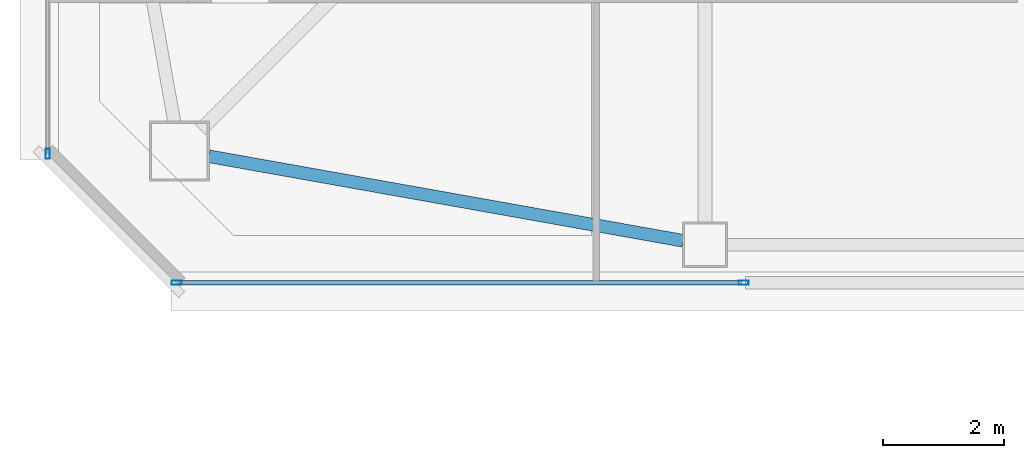
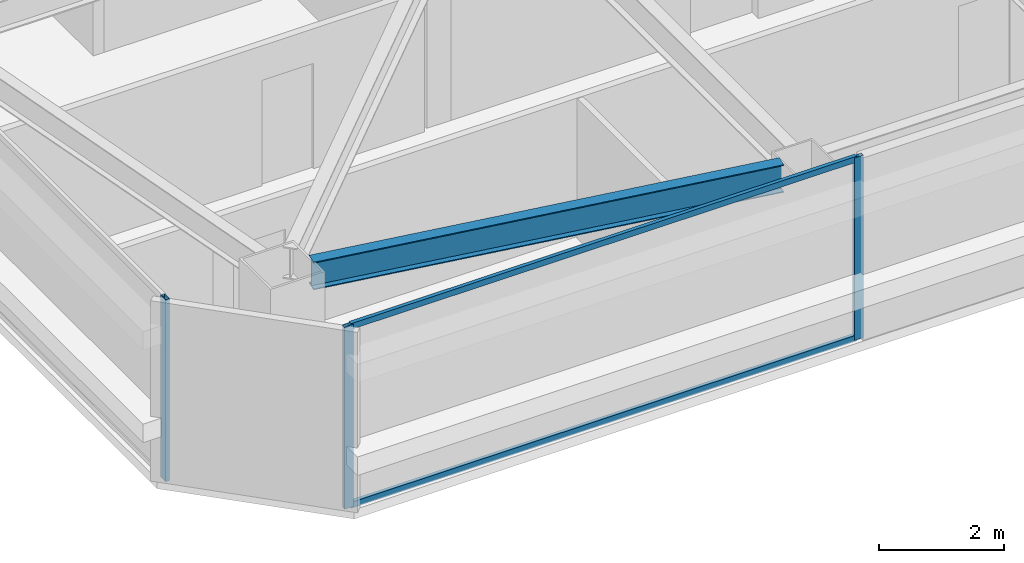
# One storey, part 3 of 39: 5 members, 1 beam, 2 elements without a shape of their own.
"""IFC4 building model written with IfcOpenShell, lengths in metres."""

from ifc_helpers import new_model, si_unit, direction, frame, origin, origin_2d, place, context, subcontext, project, spatial, hollow_rectangle, i_section, extrude, material, material_profile, profile_set, type_object, element, aggregate, save


model = new_model("IFC4")

# Units and contexts
model_context = context("Model", 3, precision=1e-05, world=origin(), true_north=direction((0.0, 1.0)))
body_context = subcontext(model_context, "Body", "Model", "MODEL_VIEW")
ifc_project = project(units=[si_unit("LENGTHUNIT", "METRE"), si_unit("AREAUNIT", "SQUARE_METRE"), si_unit("VOLUMEUNIT", "CUBIC_METRE"), si_unit("PLANEANGLEUNIT", "RADIAN"), si_unit("MASSUNIT", "GRAM", prefix="KILO")], contexts=[model_context])

# Site, building, storey
site_placement = place(None, origin())
site = spatial("IfcSite", under=ifc_project, at=site_placement, CompositionType="ELEMENT")
building_placement = place(site_placement, origin())
building = spatial("IfcBuilding", under=site, at=building_placement, Name="Tashvorn Skyway Center", CompositionType="ELEMENT")
storey_placement = place(building_placement, frame((0.0, 0.0, 207.75)))
storey = spatial("IfcBuildingStorey", under=building, at=storey_placement, Name="L56", CompositionType="ELEMENT", Elevation=207.75)

# Beam
ifc_material_1 = material(Name="Steel ASTM A992 Grade 50", Category="steel")
ifc_material_profile_1 = material_profile(ifc_material_1, i_section(OverallWidth=0.2109375, OverallDepth=0.5390625, WebThickness=0.01171875, FlangeThickness=0.018798828125, at=origin_2d()), Name="W21X73")
ifc_profile_set_1 = profile_set([ifc_material_profile_1], Name="Steel ASTM A992 Grade 50")
beam_type = type_object("IfcBeamType", Name="BM-SPANDREL-W21X73", PredefinedType="SPANDREL", material=ifc_profile_set_1)
beam_placement = place(storey_placement, frame((28.38720703125, 17.813232421875, 3.1005859375), z_axis=(0.984494883191, -0.17541329759, 0.0), x_axis=(0.17541329759, 0.984494883191, 0.0)))
element("IfcBeam", 1, at=beam_placement, inside=storey, type_object=beam_type, Name="Tower 1 L56 Spandrel Beam 01", PredefinedType="SPANDREL", context=body_context, shape_type="SweptSolid", body=[
    extrude(i_section(OverallWidth=0.2109375, OverallDepth=0.5390625, WebThickness=0.01171875, FlangeThickness=0.018798828125, at=origin_2d()), origin(), (0.0, 0.0, 1.0), 7.97216796875),
])

# Curtain wall, members
ifc_material_2 = material(Name="Thermally broken bronze-anodized aluminium 6063-T6", Category="aluminium")
curtain_wall_type = type_object("IfcCurtainWallType", Name="CW-CW-Z5", PredefinedType="NOTDEFINED", material=ifc_material_2)
curtain_wall_1_placement = place(storey_placement, origin())
curtain_wall_1 = element("IfcCurtainWall", 2, at=curtain_wall_1_placement, inside=storey, type_object=curtain_wall_type, Name="Tower 1 L56 South Unitised Curtain Wall Glazing Group 2", PredefinedType="NOTDEFINED")
ifc_material_profile_2 = material_profile(ifc_material_2, hollow_rectangle(XDim=0.070068359375, YDim=0.1650390625, WallThickness=0.00390625, at=origin_2d()), Name="ALU-MULL-70x165")
ifc_profile_set_2 = profile_set([ifc_material_profile_2], Name="Thermally broken bronze-anodized aluminium 6063-T6")
member_type_1 = type_object("IfcMemberType", Name="CWM-CW-Z5", PredefinedType="MULLION", material=ifc_profile_set_2)
member_1_placement = place(storey_placement, frame((37.23828125, 15.719970703125, 0.0), z_axis=(0.0, 0.0, 1.0), x_axis=(0.0, -1.0, 0.0)))
member_1 = element("IfcMember", 3, at=member_1_placement, type_object=member_type_1, Name="CW-Z5 mullion 1", PredefinedType="MULLION", context=body_context, shape_type="SweptSolid", body=[
    extrude(hollow_rectangle(XDim=0.070068359375, YDim=0.1650390625, WallThickness=0.00390625, at=origin_2d()), origin(), (0.0, 0.0, 1.0), 3.550048828125),
])
member_2_placement = place(storey_placement, frame((27.85498046875, 15.719970703125, 0.0), z_axis=(0.0, 0.0, 1.0), x_axis=(0.0, -1.0, 0.0)))
member_2 = element("IfcMember", 4, at=member_2_placement, type_object=member_type_1, Name="CW-Z5 mullion 2", PredefinedType="MULLION", context=body_context, shape_type="SweptSolid", body=[
    extrude(hollow_rectangle(XDim=0.070068359375, YDim=0.1650390625, WallThickness=0.00390625, at=origin_2d()), origin(), (0.0, 0.0, 1.0), 3.550048828125),
])

# Curtain wall, member
curtain_wall_2_placement = place(storey_placement, origin())
curtain_wall_2 = element("IfcCurtainWall", 5, at=curtain_wall_2_placement, inside=storey, type_object=curtain_wall_type, Name="Tower 1 L56 West Unitised Curtain Wall Glazing Group 1", PredefinedType="NOTDEFINED")
member_3_placement = place(storey_placement, frame((25.719970703125, 17.85498046875, 0.0), z_axis=(0.0, 0.0, 1.0), x_axis=(-1.0, 0.0, 0.0)))
member_3 = element("IfcMember", 6, at=member_3_placement, type_object=member_type_1, Name="CW-Z5 mullion 1", PredefinedType="MULLION", context=body_context, shape_type="SweptSolid", body=[
    extrude(hollow_rectangle(XDim=0.070068359375, YDim=0.1650390625, WallThickness=0.00390625, at=origin_2d()), origin(), (0.0, 0.0, 1.0), 3.550048828125),
])
aggregate(curtain_wall_2, [member_3])

# Member
ifc_material_profile_3 = material_profile(ifc_material_2, hollow_rectangle(XDim=0.070068359375, YDim=0.114990234375, WallThickness=0.00390625, at=origin_2d()), Name="ALU-TRAN-70x115")
ifc_profile_set_3 = profile_set([ifc_material_profile_3], Name="Thermally broken bronze-anodized aluminium 6063-T6")
member_type_2 = type_object("IfcMemberType", Name="CWT-CW-Z5", PredefinedType="USERDEFINED", material=ifc_profile_set_3)
member_4_placement = place(storey_placement, frame((37.203369140625, 15.719970703125, 0.034912109375), z_axis=(-1.0, 0.0, 0.0), x_axis=(0.0, -1.0, 0.0)))
member_4 = element("IfcMember", 7, at=member_4_placement, type_object=member_type_2, Name="CW-Z5 transom 1.1", ObjectType="TRANSOM", PredefinedType="USERDEFINED", context=body_context, shape_type="SweptSolid", body=[
    extrude(hollow_rectangle(XDim=0.070068359375, YDim=0.114990234375, WallThickness=0.00390625, at=origin_2d()), origin(), (0.0, 0.0, 1.0), 9.3134765625),
])

member_5_placement = place(storey_placement, frame((37.203369140625, 15.719970703125, 3.514892578125), z_axis=(-1.0, 0.0, 0.0), x_axis=(0.0, -1.0, 0.0)))
member_5 = element("IfcMember", 8, at=member_5_placement, type_object=member_type_2, Name="CW-Z5 transom 1.2", ObjectType="TRANSOM", PredefinedType="USERDEFINED", context=body_context, shape_type="SweptSolid", body=[
    extrude(hollow_rectangle(XDim=0.070068359375, YDim=0.114990234375, WallThickness=0.00390625, at=origin_2d()), origin(), (0.0, 0.0, 1.0), 9.3134765625),
])

aggregate(curtain_wall_1, [member_1, member_2, member_4, member_5])

save(model, "model.ifc")
